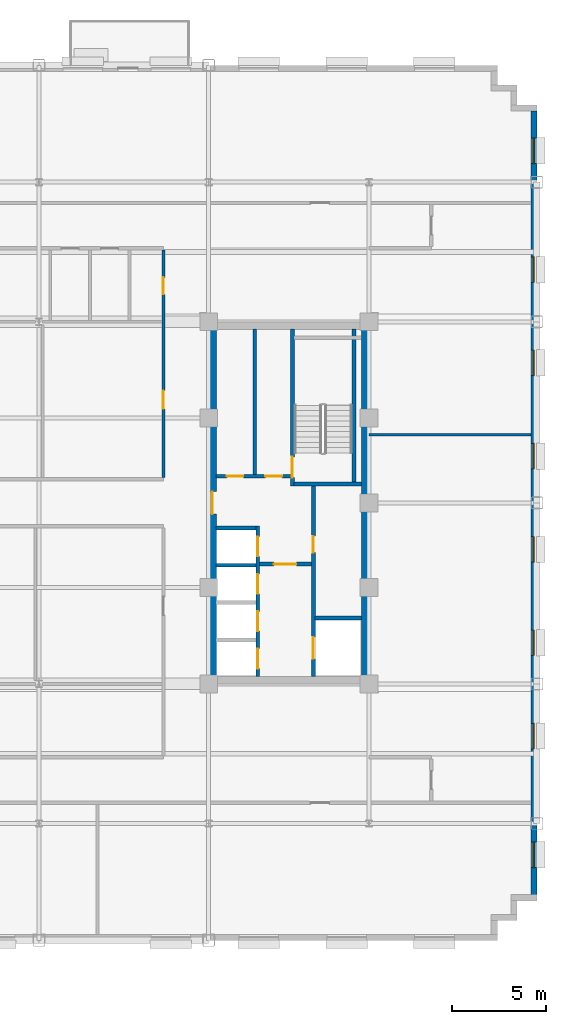
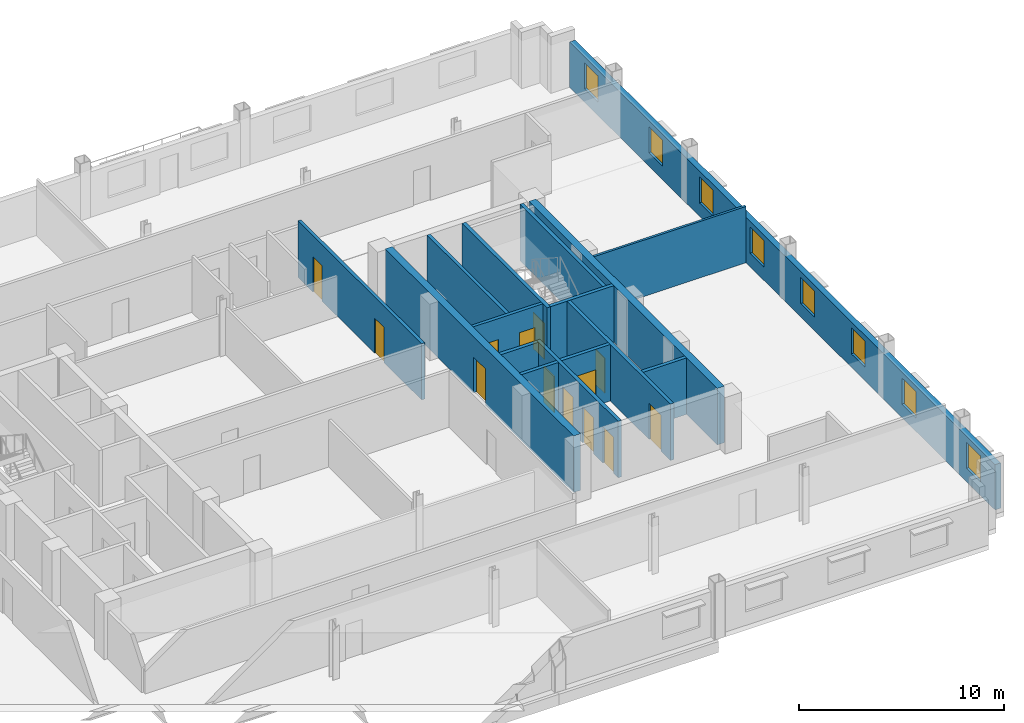
# One storey, part 8 of 14: 16 walls, 13 doors, 8 windows, 21 openings.
"""IFC4 building model written with IfcOpenShell, lengths in metres."""

from ifc_helpers import new_model, si_unit, direction, frame, frame_2d, origin, place, context, subcontext, project, spatial, rectangle, extrude, source, transform, mapped, material, layer, layer_set, type_object, type_shapes, element, fill, save


model = new_model("IFC4")

# Units and contexts
model_context = context("Model", 3, precision=1e-05, world=origin(), true_north=direction((0.0, 1.0)))
body_context = subcontext(model_context, "Body", "Model", "MODEL_VIEW")
ifc_project = project(units=[si_unit("LENGTHUNIT", "METRE"), si_unit("AREAUNIT", "SQUARE_METRE"), si_unit("VOLUMEUNIT", "CUBIC_METRE"), si_unit("PLANEANGLEUNIT", "RADIAN"), si_unit("MASSUNIT", "GRAM", prefix="KILO")], contexts=[model_context])

# Site, building, storey
site_placement = place(None, origin())
site = spatial("IfcSite", under=ifc_project, at=site_placement, CompositionType="ELEMENT")
building_placement = place(site_placement, origin())
building = spatial("IfcBuilding", under=site, at=building_placement, Name="Nuvemarco Arch Tower", CompositionType="ELEMENT")
storey_placement = place(building_placement, frame((0.0, 0.0, 142.10009765625)))
storey = spatial("IfcBuildingStorey", under=building, at=storey_placement, Name="L37", CompositionType="ELEMENT", Elevation=142.10009765625)

# Wall, openings, windows
ifc_material_1 = material(Name="Precast concrete C45/55", Category="concrete")
ifc_layer_1 = layer(ifc_material_1, 0.320068359375, Name="EW-MID-320")
ifc_layer_set_1 = layer_set([ifc_layer_1], Name="Precast concrete C45/55")
wall_type_1 = type_object("IfcWallType", Name="EW-MID-320", PredefinedType="STANDARD", material=ifc_layer_set_1)
wall_1_placement = place(storey_placement, frame((26.239990234375, -20.783935546875, 0.0), z_axis=(0.0, 0.0, 1.0), x_axis=(0.0, 1.0, 0.0)))
wall_1 = element("IfcWall", 1, at=wall_1_placement, inside=storey, type_object=wall_type_1, Name="L37 exterior precast facade wall 6", PredefinedType="STANDARD", context=body_context, shape_type="SweptSolid", body=[
    extrude(rectangle(XDim=41.56787109375, YDim=0.320068359375, at=frame_2d((20.783935546875, 0.0))), origin(), (0.0, 0.0, 1.0), 2.704833984375),
])
opening_1_placement = place(wall_1_placement, frame((1.447998046875, 0.0, 0.800048828125)))
opening_1 = element("IfcOpeningElement", 2, at=opening_1_placement, cuts=wall_1, Name="Opening WN-6", PredefinedType="OPENING", context=body_context, shape_type="SweptSolid", body=[
    extrude(rectangle(XDim=1.35009765625, YDim=1.56005859375, at=frame_2d((0.675048828125, 0.780029296875))), frame((0.0, 0.169921875, 0.0), z_axis=(0.0, -1.0, 0.0), x_axis=(1.0, 0.0, 0.0)), (0.0, 0.0, 1.0), 0.340087890625),
])
opening_2_placement = place(wall_1_placement, frame((7.743896484375, 0.0, 0.800048828125)))
opening_2 = element("IfcOpeningElement", 3, at=opening_2_placement, cuts=wall_1, Name="Opening WN-6", PredefinedType="OPENING", context=body_context, shape_type="SweptSolid", body=[
    extrude(rectangle(XDim=1.35009765625, YDim=1.56005859375, at=frame_2d((0.675048828125, 0.780029296875))), frame((0.0, 0.169921875, 0.0), z_axis=(0.0, -1.0, 0.0), x_axis=(1.0, 0.0, 0.0)), (0.0, 0.0, 1.0), 0.340087890625),
])
opening_3_placement = place(wall_1_placement, frame((12.68994140625, 0.0, 0.800048828125)))
opening_3 = element("IfcOpeningElement", 4, at=opening_3_placement, cuts=wall_1, Name="Opening WN-6", PredefinedType="OPENING", context=body_context, shape_type="SweptSolid", body=[
    extrude(rectangle(XDim=1.35009765625, YDim=1.56005859375, at=frame_2d((0.675048828125, 0.780029296875))), frame((0.0, 0.169921875, 0.0), z_axis=(0.0, -1.0, 0.0), x_axis=(1.0, 0.0, 0.0)), (0.0, 0.0, 1.0), 0.340087890625),
])
opening_4_placement = place(wall_1_placement, frame((17.635986328125, 0.0, 0.800048828125)))
opening_4 = element("IfcOpeningElement", 5, at=opening_4_placement, cuts=wall_1, Name="Opening WN-6", PredefinedType="OPENING", context=body_context, shape_type="SweptSolid", body=[
    extrude(rectangle(XDim=1.35009765625, YDim=1.56005859375, at=frame_2d((0.675048828125, 0.780029296875))), frame((0.0, 0.169921875, 0.0), z_axis=(0.0, -1.0, 0.0), x_axis=(1.0, 0.0, 0.0)), (0.0, 0.0, 1.0), 0.340087890625),
])
opening_5_placement = place(wall_1_placement, frame((22.58203125, 0.0, 0.800048828125)))
opening_5 = element("IfcOpeningElement", 6, at=opening_5_placement, cuts=wall_1, Name="Opening WN-6", PredefinedType="OPENING", context=body_context, shape_type="SweptSolid", body=[
    extrude(rectangle(XDim=1.35009765625, YDim=1.56005859375, at=frame_2d((0.675048828125, 0.780029296875))), frame((0.0, 0.169921875, 0.0), z_axis=(0.0, -1.0, 0.0), x_axis=(1.0, 0.0, 0.0)), (0.0, 0.0, 1.0), 0.340087890625),
])
opening_6_placement = place(wall_1_placement, frame((27.528076171875, 0.0, 0.800048828125)))
opening_6 = element("IfcOpeningElement", 7, at=opening_6_placement, cuts=wall_1, Name="Opening WN-6", PredefinedType="OPENING", context=body_context, shape_type="SweptSolid", body=[
    extrude(rectangle(XDim=1.35009765625, YDim=1.56005859375, at=frame_2d((0.675048828125, 0.780029296875))), frame((0.0, 0.169921875, 0.0), z_axis=(0.0, -1.0, 0.0), x_axis=(1.0, 0.0, 0.0)), (0.0, 0.0, 1.0), 0.340087890625),
])
opening_7_placement = place(wall_1_placement, frame((32.47412109375, 0.0, 0.800048828125)))
opening_7 = element("IfcOpeningElement", 8, at=opening_7_placement, cuts=wall_1, Name="Opening WN-6", PredefinedType="OPENING", context=body_context, shape_type="SweptSolid", body=[
    extrude(rectangle(XDim=1.35009765625, YDim=1.56005859375, at=frame_2d((0.675048828125, 0.780029296875))), frame((0.0, 0.169921875, 0.0), z_axis=(0.0, -1.0, 0.0), x_axis=(1.0, 0.0, 0.0)), (0.0, 0.0, 1.0), 0.340087890625),
])
opening_8_placement = place(wall_1_placement, frame((38.77001953125, 0.0, 0.800048828125)))
opening_8 = element("IfcOpeningElement", 9, at=opening_8_placement, cuts=wall_1, Name="Opening WN-6", PredefinedType="OPENING", context=body_context, shape_type="SweptSolid", body=[
    extrude(rectangle(XDim=1.35009765625, YDim=1.56005859375, at=frame_2d((0.675048828125, 0.780029296875))), frame((0.0, 0.169921875, 0.0), z_axis=(0.0, -1.0, 0.0), x_axis=(1.0, 0.0, 0.0)), (0.0, 0.0, 1.0), 0.340087890625),
])
ifc_material_2 = material(Name="Insulated solar-control glass", Category="glass")
window_type = type_object("IfcWindowType", Name="WN-MID-1350x1560", PartitioningType="SINGLE_PANEL", PredefinedType="WINDOW", material=ifc_material_2)
shared_shape_1 = source(origin(), body_context, "Body", "SweptSolid", [
    extrude(rectangle(XDim=1.35009765625, YDim=1.56005859375, at=frame_2d((0.675048828125, 0.780029296875))), frame((0.0, 0.030029296875, 0.0), z_axis=(0.0, -1.0, 0.0), x_axis=(1.0, 0.0, 0.0)), (0.0, 0.0, 1.0), 0.06005859375),
])
type_shapes(window_type, [shared_shape_1])
window_1_placement = place(opening_1_placement, origin())
window_1 = element("IfcWindow", 10, at=window_1_placement, inside=storey, type_object=window_type, Name="L37 punched facade window 1", OverallHeight=1.56005859375, OverallWidth=1.35009765625, PartitioningType="SINGLE_PANEL", PredefinedType="WINDOW", context=body_context, shape_type="MappedRepresentation", body=[
    mapped(shared_shape_1, transform((0.0, 0.0, 0.0), scale=1.0)),
])
fill(opening_1, window_1)
window_2_placement = place(opening_2_placement, origin())
window_2 = element("IfcWindow", 11, at=window_2_placement, inside=storey, type_object=window_type, Name="L37 punched facade window 2", OverallHeight=1.56005859375, OverallWidth=1.35009765625, PartitioningType="SINGLE_PANEL", PredefinedType="WINDOW", context=body_context, shape_type="MappedRepresentation", body=[
    mapped(shared_shape_1, transform((0.0, 0.0, 0.0), scale=1.0)),
])
fill(opening_2, window_2)
window_3_placement = place(opening_3_placement, origin())
window_3 = element("IfcWindow", 12, at=window_3_placement, inside=storey, type_object=window_type, Name="L37 punched facade window 3", OverallHeight=1.56005859375, OverallWidth=1.35009765625, PartitioningType="SINGLE_PANEL", PredefinedType="WINDOW", context=body_context, shape_type="MappedRepresentation", body=[
    mapped(shared_shape_1, transform((0.0, 0.0, 0.0), scale=1.0)),
])
fill(opening_3, window_3)
window_4_placement = place(opening_4_placement, origin())
window_4 = element("IfcWindow", 13, at=window_4_placement, inside=storey, type_object=window_type, Name="L37 punched facade window 4", OverallHeight=1.56005859375, OverallWidth=1.35009765625, PartitioningType="SINGLE_PANEL", PredefinedType="WINDOW", context=body_context, shape_type="MappedRepresentation", body=[
    mapped(shared_shape_1, transform((0.0, 0.0, 0.0), scale=1.0)),
])
fill(opening_4, window_4)
window_5_placement = place(opening_5_placement, origin())
window_5 = element("IfcWindow", 14, at=window_5_placement, inside=storey, type_object=window_type, Name="L37 punched facade window 5", OverallHeight=1.56005859375, OverallWidth=1.35009765625, PartitioningType="SINGLE_PANEL", PredefinedType="WINDOW", context=body_context, shape_type="MappedRepresentation", body=[
    mapped(shared_shape_1, transform((0.0, 0.0, 0.0), scale=1.0)),
])
fill(opening_5, window_5)
window_6_placement = place(opening_6_placement, origin())
window_6 = element("IfcWindow", 15, at=window_6_placement, inside=storey, type_object=window_type, Name="L37 punched facade window 6", OverallHeight=1.56005859375, OverallWidth=1.35009765625, PartitioningType="SINGLE_PANEL", PredefinedType="WINDOW", context=body_context, shape_type="MappedRepresentation", body=[
    mapped(shared_shape_1, transform((0.0, 0.0, 0.0), scale=1.0)),
])
fill(opening_6, window_6)
window_7_placement = place(opening_7_placement, origin())
window_7 = element("IfcWindow", 16, at=window_7_placement, inside=storey, type_object=window_type, Name="L37 punched facade window 7", OverallHeight=1.56005859375, OverallWidth=1.35009765625, PartitioningType="SINGLE_PANEL", PredefinedType="WINDOW", context=body_context, shape_type="MappedRepresentation", body=[
    mapped(shared_shape_1, transform((0.0, 0.0, 0.0), scale=1.0)),
])
fill(opening_7, window_7)
window_8_placement = place(opening_8_placement, origin())
window_8 = element("IfcWindow", 17, at=window_8_placement, inside=storey, type_object=window_type, Name="L37 punched facade window 8", OverallHeight=1.56005859375, OverallWidth=1.35009765625, PartitioningType="SINGLE_PANEL", PredefinedType="WINDOW", context=body_context, shape_type="MappedRepresentation", body=[
    mapped(shared_shape_1, transform((0.0, 0.0, 0.0), scale=1.0)),
])
fill(opening_8, window_8)

# Wall, opening, door
ifc_material_3 = material(Name="Concrete C60/75", Category="concrete")
ifc_layer_2 = layer(ifc_material_3, 0.39990234375, Name="WL-CORE-400")
ifc_layer_set_2 = layer_set([ifc_layer_2], Name="Concrete C60/75")
wall_type_2 = type_object("IfcWallType", Name="WL-CORE-400", PredefinedType="SHEAR", material=ifc_layer_set_2)
wall_2_placement = place(storey_placement, frame((9.199951171875, -9.205078125, 0.0), z_axis=(0.0, 0.0, 1.0), x_axis=(0.0, 1.0, 0.0)))
wall_2 = element("IfcWall", 18, at=wall_2_placement, inside=storey, type_object=wall_type_2, Name="L37 E-core shear wall W", PredefinedType="SHEAR", context=body_context, shape_type="SweptSolid", body=[
    extrude(rectangle(XDim=18.41015625, YDim=0.39990234375, at=frame_2d((9.205078125, 0.0))), origin(), (0.0, 0.0, 1.0), 3.369873046875),
])
opening_9_placement = place(wall_2_placement, frame((8.60498046875, 0.0, 0.0)))
opening_9 = element("IfcOpeningElement", 19, at=opening_9_placement, cuts=wall_2, Name="Opening FD-2", PredefinedType="OPENING", context=body_context, shape_type="SweptSolid", body=[
    extrude(rectangle(XDim=1.199951171875, YDim=2.14990234375, at=frame_2d((0.60009765625, 1.074951171875))), frame((0.0, 0.2099609375, 0.0), z_axis=(0.0, -1.0, 0.0), x_axis=(1.0, 0.0, 0.0)), (0.0, 0.0, 1.0), 0.419921875),
])
ifc_material_4 = material(Name="Anodised steel fire door", Category="steel")
door_type_1 = type_object("IfcDoorType", Name="DR-FFLOB-FD", OperationType="NOTDEFINED", PredefinedType="DOOR", material=ifc_material_4)
shared_shape_2 = source(origin(), body_context, "Body", "SweptSolid", [
    extrude(rectangle(XDim=1.199951171875, YDim=2.14990234375, at=frame_2d((0.60009765625, 1.074951171875))), frame((0.0, 0.02490234375, 0.0), z_axis=(0.0, -1.0, 0.0), x_axis=(1.0, 0.0, 0.0)), (0.0, 0.0, 1.0), 0.050048828125),
])
type_shapes(door_type_1, [shared_shape_2])
door_1_placement = place(opening_9_placement, origin())
door_1 = element("IfcDoor", 20, at=door_1_placement, inside=storey, type_object=door_type_1, Name="L37 door FD-L37-ECORE-W", OperationType="SINGLE_SWING_RIGHT", OverallHeight=2.14990234375, OverallWidth=1.199951171875, PredefinedType="DOOR", context=body_context, shape_type="MappedRepresentation", body=[
    mapped(shared_shape_2, transform((0.0, 0.0, 0.0), scale=1.0)),
])
fill(opening_9, door_1)

# Wall
wall_3_placement = place(storey_placement, frame((17.300048828125, -9.205078125, 0.0), z_axis=(0.0, 0.0, 1.0), x_axis=(0.0, 1.0, 0.0)))
element("IfcWall", 21, at=wall_3_placement, inside=storey, type_object=wall_type_2, Name="L37 E-core shear wall E", PredefinedType="SHEAR", context=body_context, shape_type="SweptSolid", body=[
    extrude(rectangle(XDim=18.41015625, YDim=0.39990234375, at=frame_2d((9.205078125, 0.0))), origin(), (0.0, 0.0, 1.0), 3.369873046875),
])

# Wall, openings, doors
ifc_material_5 = material(Name="Fire-rated gypsum drywall partition")
ifc_layer_3 = layer(ifc_material_5, 0.179931640625, Name="WL-CORR-180")
ifc_layer_set_3 = layer_set([ifc_layer_3], Name="Fire-rated gypsum drywall partition")
wall_type_3 = type_object("IfcWallType", Name="WL-CORR-180", PredefinedType="PARTITIONING", material=ifc_layer_set_3)
wall_4_placement = place(storey_placement, frame((9.39501953125, 1.39990234375, 0.0), z_axis=(0.0, 0.0, 1.0), x_axis=(1.0, 0.0, 0.0)))
wall_4 = element("IfcWall", 22, at=wall_4_placement, inside=storey, type_object=wall_type_3, Name="L37 interior wall IW-L37-EK-S", PredefinedType="PARTITIONING", context=body_context, shape_type="SweptSolid", body=[
    extrude(rectangle(XDim=3.949951171875, YDim=0.179931640625, at=frame_2d((1.97509765625, 0.0))), origin(), (0.0, 0.0, 1.0), 3.35986328125),
])
opening_10_placement = place(wall_4_placement, frame((0.56494140625, 0.0, 0.0)))
opening_10 = element("IfcOpeningElement", 23, at=opening_10_placement, cuts=wall_4, Name="Opening FD-4", PredefinedType="OPENING", context=body_context, shape_type="SweptSolid", body=[
    extrude(rectangle(XDim=0.8798828125, YDim=2.10009765625, at=frame_2d((0.43994140625, 1.050048828125))), frame((0.0, 0.099853515625, 0.0), z_axis=(0.0, -1.0, 0.0), x_axis=(1.0, 0.0, 0.0)), (0.0, 0.0, 1.0), 0.199951171875),
])
opening_11_placement = place(wall_4_placement, frame((2.614990234375, 0.0, 0.0)))
opening_11 = element("IfcOpeningElement", 24, at=opening_11_placement, cuts=wall_4, Name="Opening FD-4", PredefinedType="OPENING", context=body_context, shape_type="SweptSolid", body=[
    extrude(rectangle(XDim=0.8798828125, YDim=2.10009765625, at=frame_2d((0.43994140625, 1.050048828125))), frame((0.0, 0.099853515625, 0.0), z_axis=(0.0, -1.0, 0.0), x_axis=(1.0, 0.0, 0.0)), (0.0, 0.0, 1.0), 0.199951171875),
])
door_type_2 = type_object("IfcDoorType", Name="DR-RISER-FD", OperationType="NOTDEFINED", PredefinedType="DOOR", material=ifc_material_4)
shared_shape_3 = source(origin(), body_context, "Body", "SweptSolid", [
    extrude(rectangle(XDim=0.8798828125, YDim=2.10009765625, at=frame_2d((0.43994140625, 1.050048828125))), frame((0.0, 0.02490234375, 0.0), z_axis=(0.0, -1.0, 0.0), x_axis=(1.0, 0.0, 0.0)), (0.0, 0.0, 1.0), 0.050048828125),
])
type_shapes(door_type_2, [shared_shape_3])
door_2_placement = place(opening_10_placement, origin())
door_2 = element("IfcDoor", 25, at=door_2_placement, inside=storey, type_object=door_type_2, Name="L37 door FD-L37-EK2A", OperationType="SINGLE_SWING_LEFT", OverallHeight=2.10009765625, OverallWidth=0.8798828125, PredefinedType="DOOR", context=body_context, shape_type="MappedRepresentation", body=[
    mapped(shared_shape_3, transform((0.0, 0.0, 0.0), scale=1.0)),
])
fill(opening_10, door_2)
door_3_placement = place(opening_11_placement, origin())
door_3 = element("IfcDoor", 26, at=door_3_placement, inside=storey, type_object=door_type_2, Name="L37 door FD-L37-EK2B", OperationType="SINGLE_SWING_RIGHT", OverallHeight=2.10009765625, OverallWidth=0.8798828125, PredefinedType="DOOR", context=body_context, shape_type="MappedRepresentation", body=[
    mapped(shared_shape_3, transform((0.0, 0.0, 0.0), scale=1.0)),
])
fill(opening_11, door_3)

# Wall
wall_5_placement = place(storey_placement, frame((11.449951171875, 1.489990234375, 0.0), z_axis=(0.0, 0.0, 1.0), x_axis=(0.0, 1.0, 0.0)))
element("IfcWall", 27, at=wall_5_placement, inside=storey, type_object=wall_type_3, Name="L37 interior wall IW-L37-EK2", PredefinedType="PARTITIONING", context=body_context, shape_type="SweptSolid", body=[
    extrude(rectangle(XDim=7.715087890625, YDim=0.179931640625, at=frame_2d((3.857421875, 0.0))), origin(), (0.0, 0.0, 1.0), 3.35986328125),
])

# Wall, openings, doors
wall_6_placement = place(storey_placement, frame((6.60009765625, 1.3359375, 0.0), z_axis=(0.0, 0.0, 1.0), x_axis=(0.0, 1.0, 0.0)))
wall_6 = element("IfcWall", 28, at=wall_6_placement, inside=storey, type_object=wall_type_3, Name="L37 interior wall IW-L37-028", PredefinedType="PARTITIONING", context=body_context, shape_type="SweptSolid", body=[
    extrude(rectangle(XDim=12.078125, YDim=0.179931640625, at=frame_2d((6.0390625, 0.0))), origin(), (0.0, 0.0, 1.0), 3.35986328125),
])
opening_12_placement = place(wall_6_placement, frame((3.652099609375, 0.0, 0.0)))
opening_12 = element("IfcOpeningElement", 29, at=opening_12_placement, cuts=wall_6, Name="Opening FD-5", PredefinedType="OPENING", context=body_context, shape_type="SweptSolid", body=[
    extrude(rectangle(XDim=0.9599609375, YDim=2.10009765625, at=frame_2d((0.47998046875, 1.050048828125))), frame((0.0, 0.099853515625, 0.0), z_axis=(0.0, -1.0, 0.0), x_axis=(1.0, 0.0, 0.0)), (0.0, 0.0, 1.0), 0.199951171875),
])
opening_13_placement = place(wall_6_placement, frame((9.720947265625, 0.0, 0.0)))
opening_13 = element("IfcOpeningElement", 30, at=opening_13_placement, cuts=wall_6, Name="Opening ID-3", PredefinedType="OPENING", context=body_context, shape_type="SweptSolid", body=[
    extrude(rectangle(XDim=0.89990234375, YDim=2.10009765625, at=frame_2d((0.449951171875, 1.050048828125))), frame((0.0, 0.099853515625, 0.0), z_axis=(0.0, -1.0, 0.0), x_axis=(1.0, 0.0, 0.0)), (0.0, 0.0, 1.0), 0.199951171875),
])
ifc_material_6 = material(Name="Timber fire door", Category="wood")
door_type_3 = type_object("IfcDoorType", Name="DR-CORR-FD", OperationType="NOTDEFINED", PredefinedType="DOOR", material=ifc_material_6)
shared_shape_4 = source(origin(), body_context, "Body", "SweptSolid", [
    extrude(rectangle(XDim=0.9599609375, YDim=2.10009765625, at=frame_2d((0.47998046875, 1.050048828125))), frame((0.0, 0.02490234375, 0.0), z_axis=(0.0, -1.0, 0.0), x_axis=(1.0, 0.0, 0.0)), (0.0, 0.0, 1.0), 0.050048828125),
])
type_shapes(door_type_3, [shared_shape_4])
door_4_placement = place(opening_12_placement, origin())
door_4 = element("IfcDoor", 31, at=door_4_placement, inside=storey, type_object=door_type_3, Name="L37 door DR-L37-C_NE", OperationType="SINGLE_SWING_LEFT", OverallHeight=2.10009765625, OverallWidth=0.9599609375, PredefinedType="DOOR", context=body_context, shape_type="MappedRepresentation", body=[
    mapped(shared_shape_4, transform((0.0, 0.0, 0.0), scale=1.0)),
])
fill(opening_12, door_4)
ifc_material_7 = material(Name="Veneered oak timber fire door", Category="wood")
door_type_4 = type_object("IfcDoorType", Name="DR-WC-ACC", OperationType="NOTDEFINED", PredefinedType="DOOR", material=ifc_material_7)
shared_shape_5 = source(origin(), body_context, "Body", "SweptSolid", [
    extrude(rectangle(XDim=0.89990234375, YDim=2.10009765625, at=frame_2d((0.449951171875, 1.050048828125))), frame((0.0, 0.02490234375, 0.0), z_axis=(0.0, -1.0, 0.0), x_axis=(1.0, 0.0, 0.0)), (0.0, 0.0, 1.0), 0.050048828125),
])
type_shapes(door_type_4, [shared_shape_5])
door_5_placement = place(opening_13_placement, origin())
door_5 = element("IfcDoor", 32, at=door_5_placement, inside=storey, type_object=door_type_4, Name="L37 door DR-L37-WC_ACC", OperationType="SINGLE_SWING_RIGHT", OverallHeight=2.10009765625, OverallWidth=0.89990234375, PredefinedType="DOOR", context=body_context, shape_type="MappedRepresentation", body=[
    mapped(shared_shape_5, transform((0.0, 0.0, 0.0), scale=1.0)),
])
fill(opening_13, door_5)

# Wall
ifc_material_8 = material(Name="Glazed acoustic office partition")
ifc_layer_4 = layer(ifc_material_8, 0.1298828125, Name="WL-EXEC-130")
ifc_layer_set_4 = layer_set([ifc_layer_4], Name="Glazed acoustic office partition")
wall_type_4 = type_object("IfcWallType", Name="WL-EXEC-130", PredefinedType="PARTITIONING", material=ifc_layer_set_4)
wall_7_placement = place(storey_placement, frame((17.5, 3.60009765625, 0.0), z_axis=(0.0, 0.0, 1.0), x_axis=(1.0, 0.0, 0.0)))
element("IfcWall", 33, at=wall_7_placement, inside=storey, type_object=wall_type_4, Name="L37 interior wall IW-L37-008", PredefinedType="PARTITIONING", context=body_context, shape_type="SweptSolid", body=[
    extrude(rectangle(XDim=8.580078125, YDim=0.1298828125, at=frame_2d((4.2900390625, 0.0))), origin(), (0.0, 0.0, 1.0), 3.35986328125),
])

# Wall, opening, door
ifc_material_9 = material(Name="Concrete C50/60", Category="concrete")
ifc_layer_5 = layer(ifc_material_9, 0.199951171875, Name="WL-SHAFT-220")
ifc_layer_set_5 = layer_set([ifc_layer_5], Name="Concrete C50/60")
wall_type_5 = type_object("IfcWallType", Name="WL-SHAFT-220", PredefinedType="SHEAR", material=ifc_layer_set_5)
wall_8_placement = place(storey_placement, frame((13.43994140625, 0.89990234375, 0.0), z_axis=(0.0, 0.0, 1.0), x_axis=(0.0, 1.0, 0.0)))
wall_8 = element("IfcWall", 34, at=wall_8_placement, inside=storey, type_object=wall_type_5, Name="L37 structural shaft wall SW-L37-E-ST2W", PredefinedType="SHEAR", context=body_context, shape_type="SweptSolid", body=[
    extrude(rectangle(XDim=8.30517578125, YDim=0.199951171875, at=frame_2d((4.152587890625, 0.0))), origin(), (0.0, 0.0, 1.0), 3.369873046875),
])
opening_14_placement = place(wall_8_placement, frame((0.429931640625, 0.0, 0.0)))
opening_14 = element("IfcOpeningElement", 35, at=opening_14_placement, cuts=wall_8, Name="Opening FD-1", PredefinedType="OPENING", context=body_context, shape_type="SweptSolid", body=[
    extrude(rectangle(XDim=1.10009765625, YDim=2.14990234375, at=frame_2d((0.550048828125, 1.074951171875))), frame((0.0, 0.10986328125, 0.0), z_axis=(0.0, -1.0, 0.0), x_axis=(1.0, 0.0, 0.0)), (0.0, 0.0, 1.0), 0.219970703125),
])
door_type_5 = type_object("IfcDoorType", Name="DR-STAIR-FD", OperationType="NOTDEFINED", PredefinedType="DOOR", material=ifc_material_4)
shared_shape_6 = source(origin(), body_context, "Body", "SweptSolid", [
    extrude(rectangle(XDim=1.10009765625, YDim=2.14990234375, at=frame_2d((0.550048828125, 1.074951171875))), frame((0.0, 0.02490234375, 0.0), z_axis=(0.0, -1.0, 0.0), x_axis=(1.0, 0.0, 0.0)), (0.0, 0.0, 1.0), 0.050048828125),
])
type_shapes(door_type_5, [shared_shape_6])
door_6_placement = place(opening_14_placement, origin())
door_6 = element("IfcDoor", 36, at=door_6_placement, inside=storey, type_object=door_type_5, Name="L37 door FD-L37-ST2", OperationType="SINGLE_SWING_LEFT", OverallHeight=2.14990234375, OverallWidth=1.10009765625, PredefinedType="DOOR", context=body_context, shape_type="MappedRepresentation", body=[
    mapped(shared_shape_6, transform((0.0, 0.0, 0.0), scale=1.0)),
])
fill(opening_14, door_6)

# Walls
wall_9_placement = place(storey_placement, frame((13.534912109375, 1.0, 0.0), z_axis=(0.0, 0.0, 1.0), x_axis=(1.0, 0.0, 0.0)))
element("IfcWall", 37, at=wall_9_placement, inside=storey, type_object=wall_type_5, Name="L37 structural shaft wall SW-L37-E-ST2S", PredefinedType="SHEAR", context=body_context, shape_type="SweptSolid", body=[
    extrude(rectangle(XDim=3.570068359375, YDim=0.199951171875, at=frame_2d((1.78515625, 0.0))), origin(), (0.0, 0.0, 1.0), 3.369873046875),
])
wall_10_placement = place(storey_placement, frame((16.699951171875, 1.094970703125, 0.0), z_axis=(0.0, 0.0, 1.0), x_axis=(0.0, 1.0, 0.0)))
element("IfcWall", 38, at=wall_10_placement, inside=storey, type_object=wall_type_5, Name="L37 structural shaft wall SW-L37-E-ST2E", PredefinedType="SHEAR", context=body_context, shape_type="SweptSolid", body=[
    extrude(rectangle(XDim=8.110107421875, YDim=0.199951171875, at=frame_2d((4.05517578125, 0.0))), origin(), (0.0, 0.0, 1.0), 3.369873046875),
])

# Wall, openings, doors
wall_11_placement = place(storey_placement, frame((14.550048828125, -9.205078125, 0.0), z_axis=(0.0, 0.0, 1.0), x_axis=(0.0, 1.0, 0.0)))
wall_11 = element("IfcWall", 39, at=wall_11_placement, inside=storey, type_object=wall_type_5, Name="L37 structural shaft wall SW-L37-E-SHW", PredefinedType="SHEAR", context=body_context, shape_type="SweptSolid", body=[
    extrude(rectangle(XDim=10.110107421875, YDim=0.199951171875, at=frame_2d((5.05517578125, 0.0))), origin(), (0.0, 0.0, 1.0), 3.369873046875),
])
opening_15_placement = place(wall_11_placement, frame((6.56494140625, 0.0, 0.0)))
opening_15 = element("IfcOpeningElement", 40, at=opening_15_placement, cuts=wall_11, Name="Opening FD-4", PredefinedType="OPENING", context=body_context, shape_type="SweptSolid", body=[
    extrude(rectangle(XDim=0.8798828125, YDim=2.10009765625, at=frame_2d((0.43994140625, 1.050048828125))), frame((0.0, 0.10986328125, 0.0), z_axis=(0.0, -1.0, 0.0), x_axis=(1.0, 0.0, 0.0)), (0.0, 0.0, 1.0), 0.219970703125),
])
opening_16_placement = place(wall_11_placement, frame((0.929931640625, 0.0, 0.0)))
opening_16 = element("IfcOpeningElement", 41, at=opening_16_placement, cuts=wall_11, Name="Opening LD-2", PredefinedType="OPENING", context=body_context, shape_type="SweptSolid", body=[
    extrude(rectangle(XDim=1.14990234375, YDim=2.14990234375, at=frame_2d((0.574951171875, 1.074951171875))), frame((0.0, 0.10986328125, 0.0), z_axis=(0.0, -1.0, 0.0), x_axis=(1.0, 0.0, 0.0)), (0.0, 0.0, 1.0), 0.219970703125),
])
door_7_placement = place(opening_15_placement, origin())
door_7 = element("IfcDoor", 42, at=door_7_placement, inside=storey, type_object=door_type_2, Name="L37 door FD-L37-ERIS", OperationType="SINGLE_SWING_LEFT", OverallHeight=2.10009765625, OverallWidth=0.8798828125, PredefinedType="DOOR", context=body_context, shape_type="MappedRepresentation", body=[
    mapped(shared_shape_3, transform((0.0, 0.0, 0.0), scale=1.0)),
])
fill(opening_15, door_7)
ifc_material_10 = material(Name="Stainless steel lift door", Category="steel")
door_type_6 = type_object("IfcDoorType", Name="DR-LIFT-FIRE", OperationType="DOUBLE_DOOR_SLIDING", PredefinedType="DOOR", material=ifc_material_10)
shared_shape_7 = source(origin(), body_context, "Body", "SweptSolid", [
    extrude(rectangle(XDim=1.14990234375, YDim=2.14990234375, at=frame_2d((0.574951171875, 1.074951171875))), frame((0.0, 0.02490234375, 0.0), z_axis=(0.0, -1.0, 0.0), x_axis=(1.0, 0.0, 0.0)), (0.0, 0.0, 1.0), 0.050048828125),
])
type_shapes(door_type_6, [shared_shape_7])
door_8_placement = place(opening_16_placement, origin())
door_8 = element("IfcDoor", 43, at=door_8_placement, inside=storey, type_object=door_type_6, Name="L37 Lift landing sliding door FFL-2", OperationType="DOUBLE_DOOR_SLIDING", OverallHeight=2.14990234375, OverallWidth=1.14990234375, PredefinedType="DOOR", context=body_context, shape_type="MappedRepresentation", body=[
    mapped(shared_shape_7, transform((0.0, 0.0, 0.0), scale=1.0)),
])
fill(opening_16, door_8)

# Wall
wall_12_placement = place(storey_placement, frame((14.64501953125, -6.10009765625, 0.0), z_axis=(0.0, 0.0, 1.0), x_axis=(1.0, 0.0, 0.0)))
element("IfcWall", 44, at=wall_12_placement, inside=storey, type_object=wall_type_5, Name="L37 structural shaft wall SW-L37-E-SH1", PredefinedType="SHEAR", context=body_context, shape_type="SweptSolid", body=[
    extrude(rectangle(XDim=2.4599609375, YDim=0.199951171875, at=frame_2d((1.22998046875, 0.0))), origin(), (0.0, 0.0, 1.0), 3.369873046875),
])

# Wall, openings, doors
wall_13_placement = place(storey_placement, frame((11.60009765625, -9.205078125, 0.0), z_axis=(0.0, 0.0, 1.0), x_axis=(0.0, 1.0, 0.0)))
wall_13 = element("IfcWall", 45, at=wall_13_placement, inside=storey, type_object=wall_type_5, Name="L37 structural shaft wall SW-L37-E-PME", PredefinedType="SHEAR", context=body_context, shape_type="SweptSolid", body=[
    extrude(rectangle(XDim=7.97509765625, YDim=0.199951171875, at=frame_2d((3.987548828125, 0.0))), origin(), (0.0, 0.0, 1.0), 3.369873046875),
])
opening_17_placement = place(wall_13_placement, frame((0.419921875, 0.0, 0.0)))
opening_17 = element("IfcOpeningElement", 46, at=opening_17_placement, cuts=wall_13, Name="Opening LD-1", PredefinedType="OPENING", context=body_context, shape_type="SweptSolid", body=[
    extrude(rectangle(XDim=1.050048828125, YDim=2.14990234375, at=frame_2d((0.52490234375, 1.074951171875))), frame((0.0, 0.10986328125, 0.0), z_axis=(0.0, -1.0, 0.0), x_axis=(1.0, 0.0, 0.0)), (0.0, 0.0, 1.0), 0.219970703125),
])
opening_18_placement = place(wall_13_placement, frame((2.39990234375, 0.0, 0.0)))
opening_18 = element("IfcOpeningElement", 47, at=opening_18_placement, cuts=wall_13, Name="Opening LD-1", PredefinedType="OPENING", context=body_context, shape_type="SweptSolid", body=[
    extrude(rectangle(XDim=1.050048828125, YDim=2.14990234375, at=frame_2d((0.52490234375, 1.074951171875))), frame((0.0, 0.10986328125, 0.0), z_axis=(0.0, -1.0, 0.0), x_axis=(1.0, 0.0, 0.0)), (0.0, 0.0, 1.0), 0.219970703125),
])
opening_19_placement = place(wall_13_placement, frame((4.3798828125, 0.0, 0.0)))
opening_19 = element("IfcOpeningElement", 48, at=opening_19_placement, cuts=wall_13, Name="Opening LD-1", PredefinedType="OPENING", context=body_context, shape_type="SweptSolid", body=[
    extrude(rectangle(XDim=1.050048828125, YDim=2.14990234375, at=frame_2d((0.52490234375, 1.074951171875))), frame((0.0, 0.10986328125, 0.0), z_axis=(0.0, -1.0, 0.0), x_axis=(1.0, 0.0, 0.0)), (0.0, 0.0, 1.0), 0.219970703125),
])
opening_20_placement = place(wall_13_placement, frame((6.360107421875, 0.0, 0.0)))
opening_20 = element("IfcOpeningElement", 49, at=opening_20_placement, cuts=wall_13, Name="Opening LD-1", PredefinedType="OPENING", context=body_context, shape_type="SweptSolid", body=[
    extrude(rectangle(XDim=1.050048828125, YDim=2.14990234375, at=frame_2d((0.52490234375, 1.074951171875))), frame((0.0, 0.10986328125, 0.0), z_axis=(0.0, -1.0, 0.0), x_axis=(1.0, 0.0, 0.0)), (0.0, 0.0, 1.0), 0.219970703125),
])
door_type_7 = type_object("IfcDoorType", Name="DR-LIFT-PASS", OperationType="DOUBLE_DOOR_SLIDING", PredefinedType="DOOR", material=ifc_material_10)
shared_shape_8 = source(origin(), body_context, "Body", "SweptSolid", [
    extrude(rectangle(XDim=1.050048828125, YDim=2.14990234375, at=frame_2d((0.52490234375, 1.074951171875))), frame((0.0, 0.02490234375, 0.0), z_axis=(0.0, -1.0, 0.0), x_axis=(1.0, 0.0, 0.0)), (0.0, 0.0, 1.0), 0.050048828125),
])
type_shapes(door_type_7, [shared_shape_8])
door_9_placement = place(opening_17_placement, origin())
door_9 = element("IfcDoor", 50, at=door_9_placement, inside=storey, type_object=door_type_7, Name="L37 Lift landing sliding door PM-1", OperationType="DOUBLE_DOOR_SLIDING", OverallHeight=2.14990234375, OverallWidth=1.050048828125, PredefinedType="DOOR", context=body_context, shape_type="MappedRepresentation", body=[
    mapped(shared_shape_8, transform((0.0, 0.0, 0.0), scale=1.0)),
])
fill(opening_17, door_9)
door_10_placement = place(opening_18_placement, origin())
door_10 = element("IfcDoor", 51, at=door_10_placement, inside=storey, type_object=door_type_7, Name="L37 Lift landing sliding door PM-2", OperationType="DOUBLE_DOOR_SLIDING", OverallHeight=2.14990234375, OverallWidth=1.050048828125, PredefinedType="DOOR", context=body_context, shape_type="MappedRepresentation", body=[
    mapped(shared_shape_8, transform((0.0, 0.0, 0.0), scale=1.0)),
])
fill(opening_18, door_10)
door_11_placement = place(opening_19_placement, origin())
door_11 = element("IfcDoor", 52, at=door_11_placement, inside=storey, type_object=door_type_7, Name="L37 Lift landing sliding door PM-3", OperationType="DOUBLE_DOOR_SLIDING", OverallHeight=2.14990234375, OverallWidth=1.050048828125, PredefinedType="DOOR", context=body_context, shape_type="MappedRepresentation", body=[
    mapped(shared_shape_8, transform((0.0, 0.0, 0.0), scale=1.0)),
])
fill(opening_19, door_11)
door_12_placement = place(opening_20_placement, origin())
door_12 = element("IfcDoor", 53, at=door_12_placement, inside=storey, type_object=door_type_7, Name="L37 Lift landing sliding door PM-4", OperationType="DOUBLE_DOOR_SLIDING", OverallHeight=2.14990234375, OverallWidth=1.050048828125, PredefinedType="DOOR", context=body_context, shape_type="MappedRepresentation", body=[
    mapped(shared_shape_8, transform((0.0, 0.0, 0.0), scale=1.0)),
])
fill(opening_20, door_12)

# Wall, opening, door
wall_14_placement = place(storey_placement, frame((11.695068359375, -3.25, 0.0), z_axis=(0.0, 0.0, 1.0), x_axis=(1.0, 0.0, 0.0)))
wall_14 = element("IfcWall", 54, at=wall_14_placement, inside=storey, type_object=wall_type_5, Name="L37 structural shaft wall SW-L37-E-FFN", PredefinedType="SHEAR", context=body_context, shape_type="SweptSolid", body=[
    extrude(rectangle(XDim=2.760009765625, YDim=0.199951171875, at=frame_2d((1.3798828125, 0.0))), origin(), (0.0, 0.0, 1.0), 3.369873046875),
])
opening_21_placement = place(wall_14_placement, frame((0.7548828125, 0.0, 0.0)))
opening_21 = element("IfcOpeningElement", 55, at=opening_21_placement, cuts=wall_14, Name="Opening FD-2", PredefinedType="OPENING", context=body_context, shape_type="SweptSolid", body=[
    extrude(rectangle(XDim=1.199951171875, YDim=2.14990234375, at=frame_2d((0.60009765625, 1.074951171875))), frame((0.0, 0.10986328125, 0.0), z_axis=(0.0, -1.0, 0.0), x_axis=(1.0, 0.0, 0.0)), (0.0, 0.0, 1.0), 0.219970703125),
])
door_13_placement = place(opening_21_placement, origin())
door_13 = element("IfcDoor", 56, at=door_13_placement, inside=storey, type_object=door_type_1, Name="L37 door FD-L37-EFF2", OperationType="SINGLE_SWING_LEFT", OverallHeight=2.14990234375, OverallWidth=1.199951171875, PredefinedType="DOOR", context=body_context, shape_type="MappedRepresentation", body=[
    mapped(shared_shape_2, transform((0.0, 0.0, 0.0), scale=1.0)),
])
fill(opening_21, door_13)

# Walls
for number, where, z_axis, x_axis, name in (
    (57, (9.39501953125, -3.31005859375, 0.0), (0.0, 0.0, 1.0), (1.0, 0.0, 0.0), "L37 structural shaft wall SW-L37-E-PMD3"),
    (58, (9.39501953125, -1.330078125, 0.0), (0.0, 0.0, 1.0), (1.0, 0.0, 0.0), "L37 structural shaft wall SW-L37-E-PMD4"),
):
    element("IfcWall", number, at=place(storey_placement, frame(where, z_axis=z_axis, x_axis=x_axis)), inside=storey, type_object=wall_type_5, Name=name, PredefinedType="SHEAR", context=body_context, shape_type="SweptSolid", body=[
        extrude(rectangle(XDim=2.10986328125, YDim=0.199951171875, at=frame_2d((1.054931640625, 0.0))), origin(), (0.0, 0.0, 1.0), 3.369873046875),
    ])

save(model, "model.ifc")
